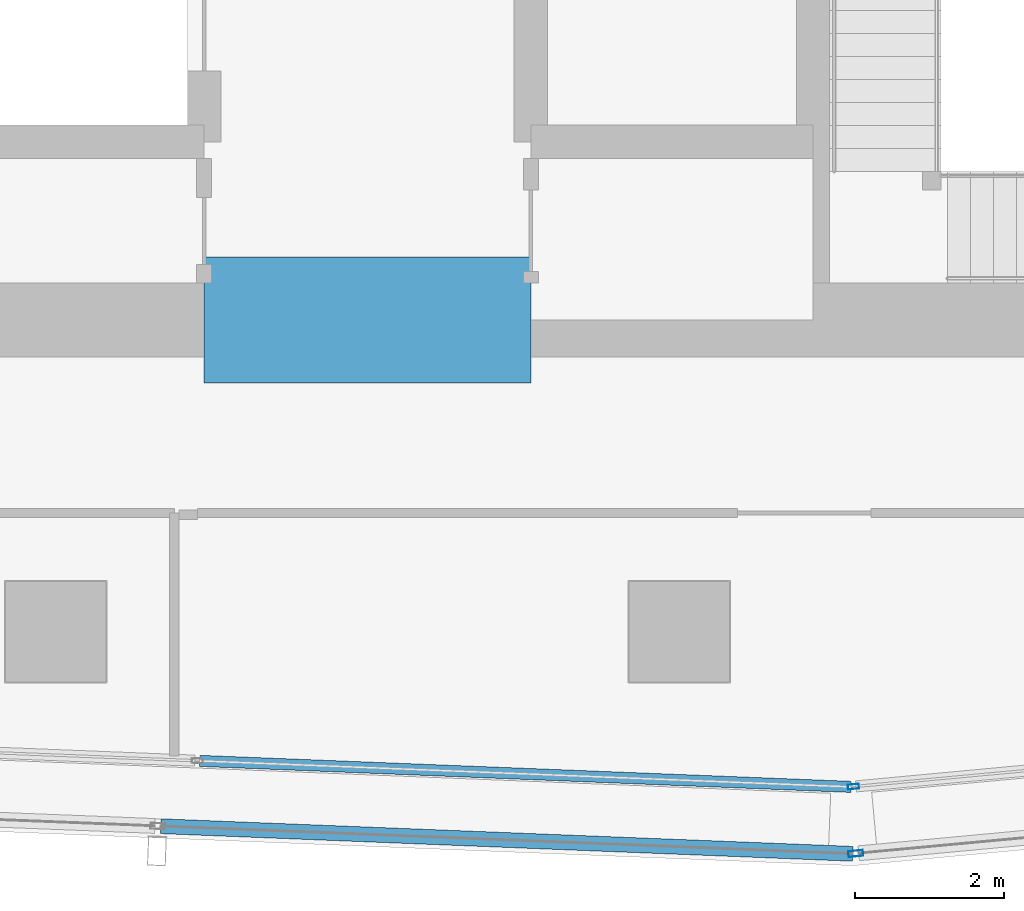
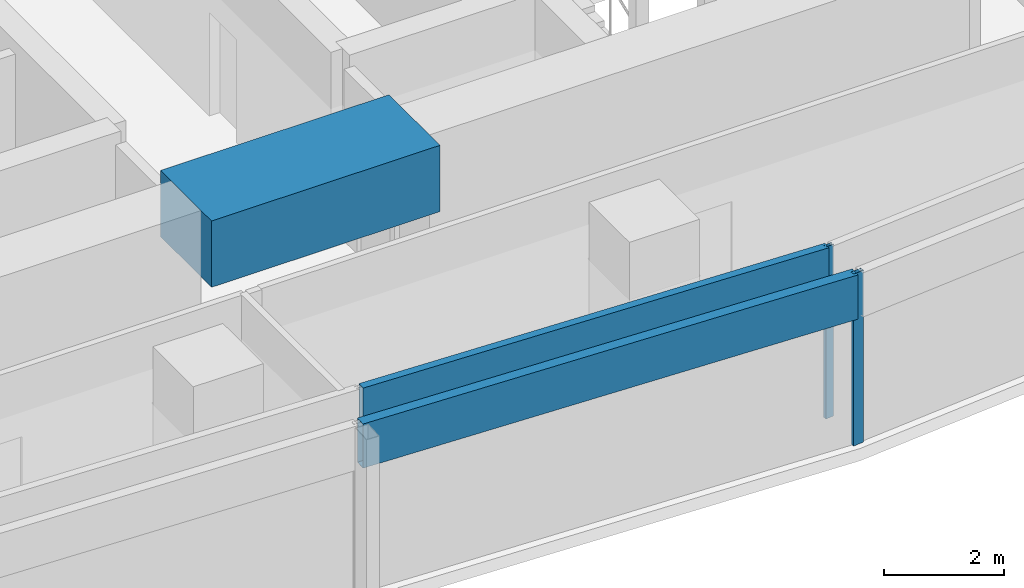
# One storey, part 10 of 33: 4 members, 1 beam, 4 elements without a shape of their own.
"""IFC4 building model written with IfcOpenShell, lengths in metres."""

from ifc_helpers import new_model, si_unit, direction, frame, origin, origin_2d, place, context, subcontext, project, spatial, rectangle, hollow_rectangle, extrude, material, material_profile, profile_set, type_object, element, aggregate, save


model = new_model("IFC4")

# Units and contexts
model_context = context("Model", 3, precision=1e-05, world=origin(), true_north=direction((0.0, 1.0)))
body_context = subcontext(model_context, "Body", "Model", "MODEL_VIEW")
ifc_project = project(units=[si_unit("LENGTHUNIT", "METRE"), si_unit("AREAUNIT", "SQUARE_METRE"), si_unit("VOLUMEUNIT", "CUBIC_METRE"), si_unit("PLANEANGLEUNIT", "RADIAN"), si_unit("MASSUNIT", "GRAM", prefix="KILO")], contexts=[model_context])

# Site, building, storey
site_placement = place(None, origin())
site = spatial("IfcSite", under=ifc_project, at=site_placement, CompositionType="ELEMENT")
building_placement = place(site_placement, origin())
building = spatial("IfcBuilding", under=site, at=building_placement, Name="Rekha Terrace Tower", CompositionType="ELEMENT")
storey_placement = place(building_placement, frame((0.0, 0.0, 206.449951171875)))
storey = spatial("IfcBuildingStorey", under=building, at=storey_placement, Name="L52", CompositionType="ELEMENT", Elevation=206.449951171875)

# Curtain wall, member
ifc_material_1 = material(Name="Aluminium framing", Category="aluminium")
curtain_wall_type_1 = type_object("IfcCurtainWallType", Name="CW1 double skin inner glazing", PredefinedType="USERDEFINED", material=ifc_material_1)
curtain_wall_1_placement = place(storey_placement, origin())
curtain_wall_1 = element("IfcCurtainWall", 1, at=curtain_wall_1_placement, inside=storey, type_object=curtain_wall_type_1, Name="CW1 double skin inner glazing", ObjectType="DOUBLE SKIN INNER GLAZING", PredefinedType="USERDEFINED")
ifc_material_2 = material(Name="Aluminium mullion section", Category="aluminium")
ifc_material_profile_1 = material_profile(ifc_material_2, hollow_rectangle(XDim=0.06494140625, YDim=0.14990234375, WallThickness=0.00390625, at=origin_2d()), Name="AL RHS 65x150")
ifc_profile_set_1 = profile_set([ifc_material_profile_1], Name="Aluminium mullion section")
member_type_1 = type_object("IfcMemberType", Name="CW1 mullion RHS 65 x 150", PredefinedType="MULLION", material=ifc_profile_set_1)
member_1_placement = place(storey_placement, frame((44.34423828125, 14.715087890625, 0.0), z_axis=(0.0, 0.0, 1.0), x_axis=(-0.092708869564, 0.995693258742, 0.0)))
member_1 = element("IfcMember", 2, at=member_1_placement, type_object=member_type_1, Name="CW1 mullion 1", PredefinedType="MULLION", context=body_context, shape_type="SweptSolid", body=[
    extrude(hollow_rectangle(XDim=0.06494140625, YDim=0.14990234375, WallThickness=0.00390625, at=origin_2d()), origin(), (0.0, 0.0, 1.0), 3.5),
])
aggregate(curtain_wall_1, [member_1])

curtain_wall_2_placement = place(storey_placement, origin())
curtain_wall_2 = element("IfcCurtainWall", 3, at=curtain_wall_2_placement, inside=storey, type_object=curtain_wall_type_1, Name="CW1 double skin inner glazing", ObjectType="DOUBLE SKIN INNER GLAZING", PredefinedType="USERDEFINED")
ifc_material_3 = material(Name="Insulated aluminium spandrel box", Category="aluminium")
ifc_material_profile_2 = material_profile(ifc_material_3, hollow_rectangle(XDim=0.14990234375, YDim=0.89990234375, WallThickness=0.0029296875, at=origin_2d()), Name="AL SPANDREL BOX 150x900")
ifc_profile_set_2 = profile_set([ifc_material_profile_2], Name="Insulated aluminium spandrel box")
member_type_2 = type_object("IfcMemberType", Name="CW1 spandrel transom 150 x 900", PredefinedType="USERDEFINED", material=ifc_profile_set_2)
member_2_placement = place(storey_placement, frame((35.5400390625, 15.06201171875, 3.050048828125), z_axis=(0.999204464505, -0.039880297311, 0.0), x_axis=(0.039880297311, 0.999204464505, 0.0)))
member_2 = element("IfcMember", 4, at=member_2_placement, type_object=member_type_2, Name="CW1 spandrel transom 4", ObjectType="TRANSOM", PredefinedType="USERDEFINED", context=body_context, shape_type="SweptSolid", body=[
    extrude(hollow_rectangle(XDim=0.14990234375, YDim=0.89990234375, WallThickness=0.0029296875, at=origin_2d()), origin(), (0.0, 0.0, 1.0), 8.77880859375),
])
aggregate(curtain_wall_2, [member_2])

curtain_wall_type_2 = type_object("IfcCurtainWallType", Name="CW2 double skin outer glazing", PredefinedType="USERDEFINED", material=ifc_material_1)
curtain_wall_3_placement = place(storey_placement, origin())
curtain_wall_3 = element("IfcCurtainWall", 5, at=curtain_wall_3_placement, inside=storey, type_object=curtain_wall_type_2, Name="CW2 double skin outer glazing", ObjectType="DOUBLE SKIN OUTER GLAZING", PredefinedType="USERDEFINED")
ifc_material_profile_3 = material_profile(ifc_material_2, hollow_rectangle(XDim=0.080078125, YDim=0.199951171875, WallThickness=0.00390625, at=origin_2d()), Name="AL RHS 80x200")
ifc_profile_set_3 = profile_set([ifc_material_profile_3], Name="Aluminium mullion section")
member_type_3 = type_object("IfcMemberType", Name="CW2 mullion RHS 80 x 200", PredefinedType="MULLION", material=ifc_profile_set_3)
member_3_placement = place(storey_placement, frame((44.37548828125, 13.81396484375, 0.0), z_axis=(0.0, 0.0, 1.0), x_axis=(-0.092708869512, 0.995693258747, 0.0)))
member_3 = element("IfcMember", 6, at=member_3_placement, type_object=member_type_3, Name="CW2 mullion 1", PredefinedType="MULLION", context=body_context, shape_type="SweptSolid", body=[
    extrude(hollow_rectangle(XDim=0.080078125, YDim=0.199951171875, WallThickness=0.00390625, at=origin_2d()), origin(), (0.0, 0.0, 1.0), 3.5),
])
aggregate(curtain_wall_3, [member_3])

curtain_wall_4_placement = place(storey_placement, origin())
curtain_wall_4 = element("IfcCurtainWall", 7, at=curtain_wall_4_placement, inside=storey, type_object=curtain_wall_type_2, Name="CW2 double skin outer glazing", ObjectType="DOUBLE SKIN OUTER GLAZING", PredefinedType="USERDEFINED")
ifc_material_profile_4 = material_profile(ifc_material_3, hollow_rectangle(XDim=0.199951171875, YDim=0.89990234375, WallThickness=0.0029296875, at=origin_2d()), Name="AL SPANDREL BOX 200x900")
ifc_profile_set_4 = profile_set([ifc_material_profile_4], Name="Insulated aluminium spandrel box")
member_type_4 = type_object("IfcMemberType", Name="CW2 spandrel transom 200 x 900", PredefinedType="USERDEFINED", material=ifc_profile_set_4)
member_4_placement = place(storey_placement, frame((35.01708984375, 14.18212890625, 3.050048828125), z_axis=(0.999204884837, -0.039869764458, 0.0), x_axis=(0.039869764458, 0.999204884837, 0.0)))
member_4 = element("IfcMember", 8, at=member_4_placement, type_object=member_type_4, Name="CW2 spandrel transom 4", ObjectType="TRANSOM", PredefinedType="USERDEFINED", context=body_context, shape_type="SweptSolid", body=[
    extrude(hollow_rectangle(XDim=0.199951171875, YDim=0.89990234375, WallThickness=0.0029296875, at=origin_2d()), origin(), (0.0, 0.0, 1.0), 9.325927734375),
])
aggregate(curtain_wall_4, [member_4])

# Beam
ifc_material_4 = material(Name="Concrete M60", Category="concrete")
ifc_material_profile_5 = material_profile(ifc_material_4, rectangle(XDim=1.699951171875, YDim=1.35009765625, at=origin_2d()), Name="RC 1700x1350")
ifc_profile_set_5 = profile_set([ifc_material_profile_5], Name="Concrete M60")
beam_type = type_object("IfcBeamType", Name="LB3A 1700x1350 diagonally reinforced coupling beam", PredefinedType="LINTEL", material=ifc_profile_set_5)
beam_placement = place(storey_placement, frame((35.60009765625, 21.0, 3.074951171875), z_axis=(1.0, 0.0, 0.0), x_axis=(0.0, 1.0, 0.0)))
element("IfcBeam", 9, at=beam_placement, inside=storey, type_object=beam_type, Name="Coupling beam LB3A S L52", PredefinedType="LINTEL", context=body_context, shape_type="SweptSolid", body=[
    extrude(rectangle(XDim=1.699951171875, YDim=1.35009765625, at=origin_2d()), origin(), (0.0, 0.0, 1.0), 4.39990234375),
])

save(model, "model.ifc")
